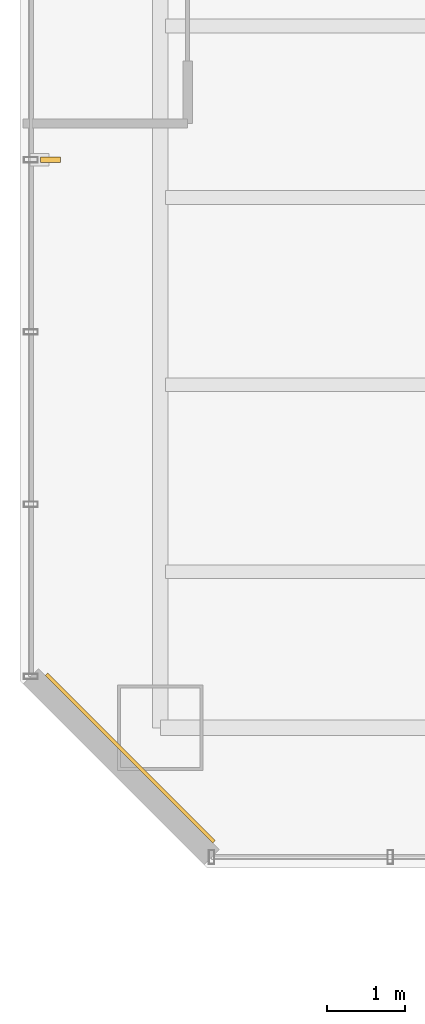
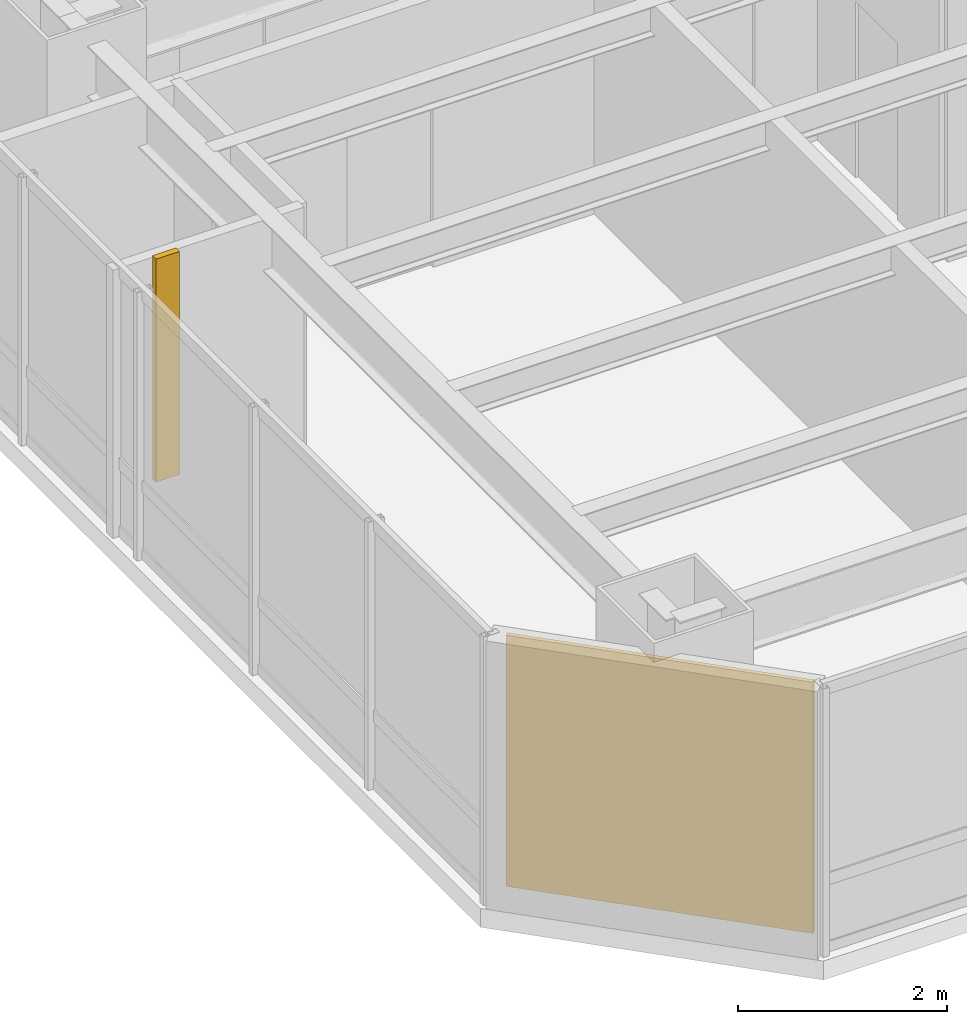
# One storey, part 31 of 37: 1 covering, 1 shading device.
"""IFC4 building model written with IfcOpenShell, lengths in metres."""

from ifc_helpers import new_model, si_unit, direction, frame, origin, origin_2d, place, context, subcontext, project, spatial, rectangle, extrude, material, layer, layer_set, type_object, element, save


model = new_model("IFC4")

# Units and contexts
model_context = context("Model", 3, precision=1e-05, world=origin(), true_north=direction((0.0, 1.0)))
body_context = subcontext(model_context, "Body", "Model", "MODEL_VIEW")
ifc_project = project(units=[si_unit("LENGTHUNIT", "METRE"), si_unit("AREAUNIT", "SQUARE_METRE"), si_unit("VOLUMEUNIT", "CUBIC_METRE"), si_unit("PLANEANGLEUNIT", "RADIAN"), si_unit("MASSUNIT", "GRAM", prefix="KILO")], contexts=[model_context])

# Site, building, storey
site_placement = place(None, origin())
site = spatial("IfcSite", under=ifc_project, at=site_placement, CompositionType="ELEMENT")
building_placement = place(site_placement, origin())
building = spatial("IfcBuilding", under=site, at=building_placement, Name="Hatsunagi Terrace Concourse", CompositionType="ELEMENT")
storey_placement = place(building_placement, frame((0.0, 0.0, 50.0)))
storey = spatial("IfcBuildingStorey", under=building, at=storey_placement, Name="L12", CompositionType="ELEMENT", Elevation=50.0)

# Shading device
ifc_material_1 = material(Name="Extruded Unglazed Terracotta Baguette", Category="masonry")
shading_device_type = type_object("IfcShadingDeviceType", Name="TerracottaFinScreen_260x70", PredefinedType="USERDEFINED", material=ifc_material_1)
shading_device_placement = place(storey_placement, frame((0.389892578125, 32.48291015625, 0.849853515625), z_axis=(0.0, 0.0, 1.0), x_axis=(0.0, 1.0, 0.0)))
element("IfcShadingDevice", 1, at=shading_device_placement, inside=storey, type_object=shading_device_type, Name="Terracotta Baguette Fin Screen SCR-01", ObjectType="SUNSHADE", PredefinedType="USERDEFINED", context=body_context, shape_type="SweptSolid", body=[
    extrude(rectangle(XDim=0.070068359375, YDim=0.260009765625, at=origin_2d()), origin(), (0.0, 0.0, 1.0), 2.60009765625),
])

# Covering
ifc_material_2 = material(Name="Unglazed Warm Terracotta Rainscreen Tile", Category="masonry")
ifc_layer = layer(ifc_material_2, 0.044921875)
ifc_layer_set = layer_set([ifc_layer], Name="TerracottaRainscreenCladding_45")
covering_type = type_object("IfcCoveringType", Name="TerracottaRainscreenCladding_45", PredefinedType="CLADDING", material=ifc_layer_set)
covering_placement = place(storey_placement, frame((1.4140625, 24.81396484375, 0.10009765625), z_axis=(0.0, 0.0, 1.0), x_axis=(-0.707106781187, 0.707106781187, 0.0)))
element("IfcCovering", 2, at=covering_placement, inside=storey, type_object=covering_type, Name="Terracotta Rainscreen Cladding L12-08", PredefinedType="CLADDING", context=body_context, shape_type="SweptSolid", body=[
    extrude(rectangle(XDim=3.0380859375, YDim=0.044921875, at=origin_2d()), origin(), (0.0, 0.0, 1.0), 2.929931640625),
])

save(model, "model.ifc")
